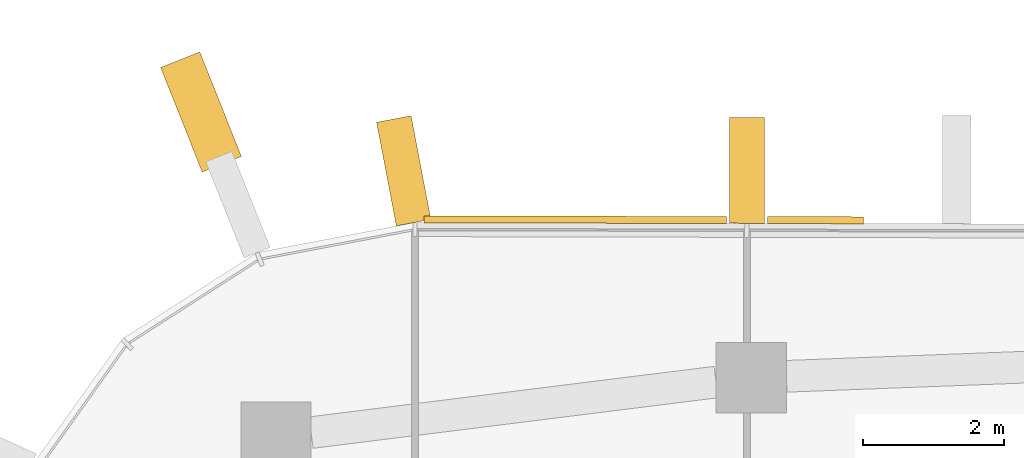
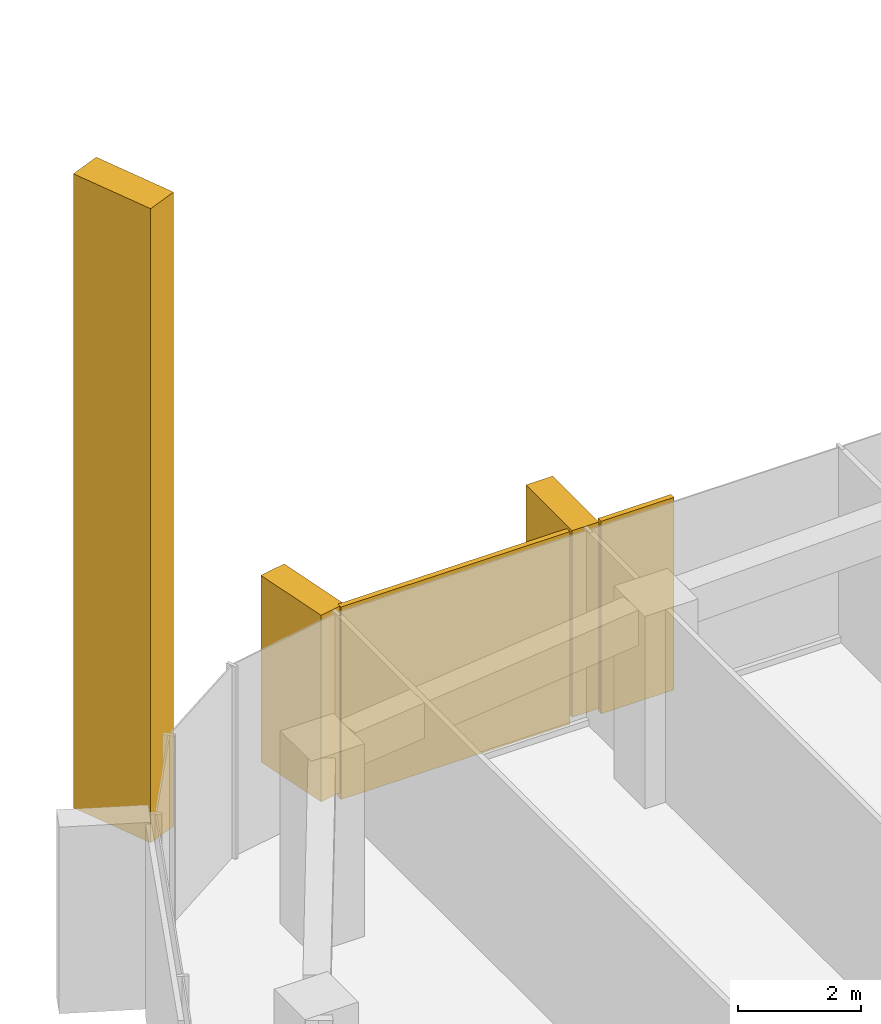
# One storey, part 22 of 24: 5 coverings, 2 elements without a shape of their own.
"""IFC4 building model written with IfcOpenShell, lengths in metres."""

from ifc_helpers import new_model, si_unit, direction, frame, origin, origin_2d, place, context, subcontext, project, spatial, rectangle, extrude, material, layer, layer_set, material_profile, profile_set, type_object, element, aggregate, save


model = new_model("IFC4")

# Units and contexts
model_context = context("Model", 3, precision=1e-05, world=origin(), true_north=direction((0.0, 1.0)))
body_context = subcontext(model_context, "Body", "Model", "MODEL_VIEW")
ifc_project = project(units=[si_unit("LENGTHUNIT", "METRE"), si_unit("AREAUNIT", "SQUARE_METRE"), si_unit("VOLUMEUNIT", "CUBIC_METRE"), si_unit("PLANEANGLEUNIT", "RADIAN"), si_unit("MASSUNIT", "GRAM", prefix="KILO")], contexts=[model_context])

# Site, building, storey
site_placement = place(None, origin())
site = spatial("IfcSite", under=ifc_project, at=site_placement, CompositionType="ELEMENT")
building_placement = place(site_placement, origin())
building = spatial("IfcBuilding", under=site, at=building_placement, Name="Dongbaek Canopy Tower", CompositionType="ELEMENT")
storey_placement = place(building_placement, frame((0.0, 0.0, 306.800048828125)))
storey = spatial("IfcBuildingStorey", under=building, at=storey_placement, Name="L65", CompositionType="ELEMENT", Elevation=306.800048828125)

# Curtain wall, covering
ifc_material_1 = material(Name="Aluminium 6063-T6 pale anodised", Category="aluminium")
ifc_layer_1 = layer(ifc_material_1, 0.199951171875)
ifc_layer_set_1 = layer_set([ifc_layer_1], Name="CW-1 unitised tower curtain wall")
curtain_wall_type = type_object("IfcCurtainWallType", Name="CW-1 unitised tower curtain wall", PredefinedType="NOTDEFINED", material=ifc_layer_set_1)
curtain_wall_1_placement = place(storey_placement, origin())
curtain_wall_1 = element("IfcCurtainWall", 1, at=curtain_wall_1_placement, inside=storey, type_object=curtain_wall_type, Name="CW-1 curtain wall K2.1", PredefinedType="NOTDEFINED")
ifc_material_2 = material(Name="Aluminium 6063-T6 pale metal fin", Category="aluminium")
ifc_material_profile_1 = material_profile(ifc_material_2, rectangle(XDim=1.60009765625, YDim=0.60009765625, at=origin_2d()), Name="Corner fin CN1 600 x 1600 pale metal")
ifc_profile_set_1 = profile_set([ifc_material_profile_1], Name="Aluminium 6063-T6 pale metal fin")
covering_type_1 = type_object("IfcCoveringType", Name="Corner fin CN1 600 x 1600 pale metal", PredefinedType="CLADDING", material=ifc_profile_set_1)
covering_1_placement = place(storey_placement, frame((-16.126953125, 30.93896484375, -0.18994140625), z_axis=(0.0, 0.0, 1.0), x_axis=(-0.370212122195, 0.928947245316, 0.0)))
covering_1 = element("IfcCovering", 2, at=covering_1_placement, type_object=covering_type_1, Name="Corner fin L65 L67 K2", PredefinedType="CLADDING", context=body_context, shape_type="SweptSolid", body=[
    extrude(rectangle(XDim=1.60009765625, YDim=0.60009765625, at=origin_2d()), origin(), (0.0, 0.0, 1.0), 12.579833984375),
])

# Curtain wall, coverings
curtain_wall_2_placement = place(storey_placement, origin())
curtain_wall_2 = element("IfcCurtainWall", 3, at=curtain_wall_2_placement, inside=storey, type_object=curtain_wall_type, Name="CW-1 curtain wall F1.1", PredefinedType="NOTDEFINED")
ifc_material_3 = material(Name="Perforated aluminium 6063-T6 pale metal screen", Category="aluminium")
ifc_layer_2 = layer(ifc_material_3, 0.10009765625)
ifc_layer_set_2 = layer_set([ifc_layer_2], Name="Facet screen FS1 100 pale metal")
covering_type_2 = type_object("IfcCoveringType", Name="Facet screen FS1 100 pale metal", PredefinedType="CLADDING", material=ifc_layer_set_2)
covering_2_placement = place(storey_placement, frame((-7.3974609375, 29.401611328125, 0.0), z_axis=(0.0, 0.0, 1.0), x_axis=(-0.999997623984, 0.002179914509, 0.0)))
covering_2 = element("IfcCovering", 4, at=covering_2_placement, type_object=covering_type_2, Name="Facet screen L65 F1", PredefinedType="CLADDING", context=body_context, shape_type="SweptSolid", body=[
    extrude(rectangle(XDim=1.365966796875, YDim=0.10009765625, at=origin_2d()), origin(), (0.0, 0.0, 1.0), 3.820068359375),
])
covering_3_placement = place(storey_placement, frame((-10.809326171875, 29.4091796875, 0.0), z_axis=(0.0, 0.0, 1.0), x_axis=(-0.999997623984, 0.002179914509, 0.0)))
covering_3 = element("IfcCovering", 5, at=covering_3_placement, type_object=covering_type_2, Name="Facet screen L65 F1", PredefinedType="CLADDING", context=body_context, shape_type="SweptSolid", body=[
    extrude(rectangle(XDim=4.297607421875, YDim=0.10009765625, at=origin_2d()), origin(), (0.0, 0.0, 1.0), 3.820068359375),
])
ifc_material_4 = material(Name="Aluminium 6063-T6 pale metal fin", Category="aluminium")
ifc_material_profile_2 = material_profile(ifc_material_4, rectangle(XDim=1.5, YDim=0.5, at=origin_2d()), Name="Fin FN1 500 x 1500 pale metal")
ifc_profile_set_2 = profile_set([ifc_material_profile_2], Name="Aluminium 6063-T6 pale metal fin")
covering_type_3 = type_object("IfcCoveringType", Name="Fin FN1 500 x 1500 pale metal", PredefinedType="CLADDING", material=ifc_profile_set_2)
covering_4_placement = place(storey_placement, frame((-8.368896484375, 30.10791015625, 0.119873046875), z_axis=(0.0, 0.0, 1.0), x_axis=(0.002180161438, 0.999997623445, 0.0)))
covering_4 = element("IfcCovering", 6, at=covering_4_placement, type_object=covering_type_3, Name="Fin F1.1.5", PredefinedType="CLADDING", context=body_context, shape_type="SweptSolid", body=[
    extrude(rectangle(XDim=1.5, YDim=0.5, at=origin_2d()), origin(), (0.0, 0.0, 1.0), 3.7001953125),
])
aggregate(curtain_wall_2, [covering_4, covering_2, covering_3])

# Covering
covering_5_placement = place(storey_placement, frame((-13.24658203125, 30.10302734375, 0.119873046875), z_axis=(0.0, 0.0, 1.0), x_axis=(-0.187413340747, 0.982281140871, 0.0)))
covering_5 = element("IfcCovering", 7, at=covering_5_placement, type_object=covering_type_3, Name="Fin K2.1.1", PredefinedType="CLADDING", context=body_context, shape_type="SweptSolid", body=[
    extrude(rectangle(XDim=1.5, YDim=0.5, at=origin_2d()), origin(), (0.0, 0.0, 1.0), 3.7001953125),
])

aggregate(curtain_wall_1, [covering_5, covering_1])

save(model, "model.ifc")
